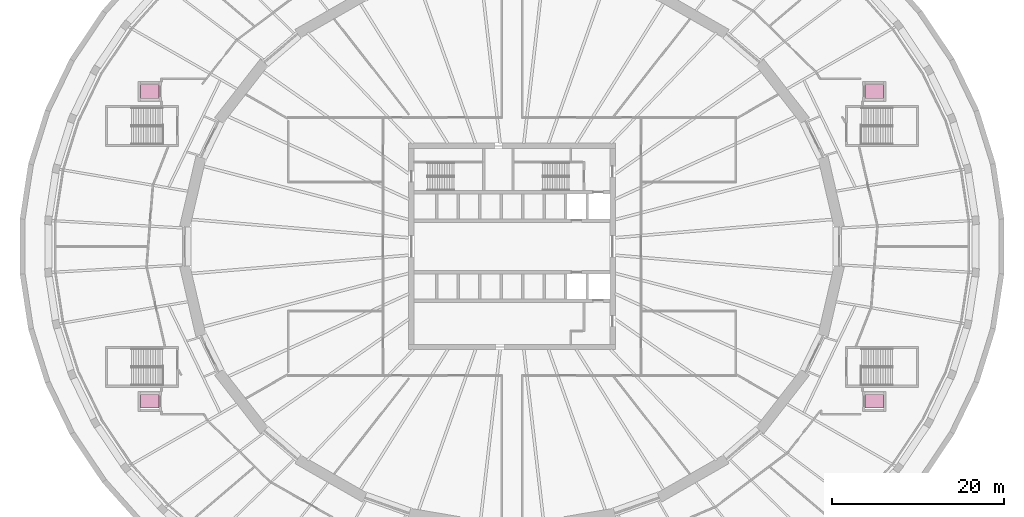
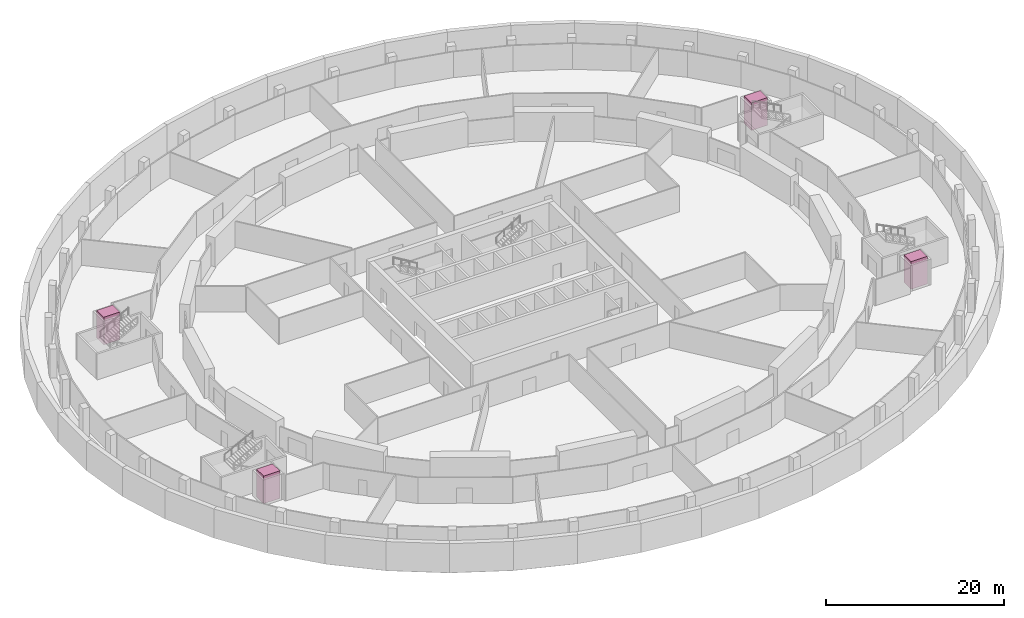
# One storey, part 14 of 14: 4 transport elements.
"""IFC4 building model written with IfcOpenShell, lengths in metres."""

from ifc_helpers import new_model, si_unit, direction, frame, origin, origin_2d, place, context, subcontext, project, spatial, rectangle, extrude, material, type_object, element, save


model = new_model("IFC4")

# Units and contexts
model_context = context("Model", 3, precision=1e-05, world=origin(), true_north=direction((0.0, 1.0)))
body_context = subcontext(model_context, "Body", "Model", "MODEL_VIEW")
ifc_project = project(units=[si_unit("LENGTHUNIT", "METRE"), si_unit("AREAUNIT", "SQUARE_METRE"), si_unit("VOLUMEUNIT", "CUBIC_METRE"), si_unit("PLANEANGLEUNIT", "RADIAN"), si_unit("MASSUNIT", "GRAM", prefix="KILO")], contexts=[model_context])

# Site, building, storey
site_placement = place(None, origin())
site = spatial("IfcSite", under=ifc_project, at=site_placement, CompositionType="ELEMENT")
building_placement = place(site_placement, origin())
building = spatial("IfcBuilding", under=site, at=building_placement, Name="Halqa Exchange Tower", CompositionType="ELEMENT")
storey_placement = place(building_placement, frame((0.0, 0.0, -4.0)))
storey = spatial("IfcBuildingStorey", under=building, at=storey_placement, Name="B1", CompositionType="ELEMENT", Elevation=-4.0)

# Transport elements
ifc_material = material(Name="Stainless steel", Category="steel")
transport_element_type = type_object("IfcTransportElementType", Name="Accessible station lift 1600 x 2100", PredefinedType="ELEVATOR", material=ifc_material)
for number, where, z_axis, x_axis, name in (
    (1, (42.10009765625, 18.0, 0.0), (0.0, 0.0, 1.0), (1.0, 0.0, 0.0), "Accessible station lift AL1"),
    (2, (42.10009765625, -18.0, 0.0), (0.0, 0.0, 1.0), (1.0, 0.0, 0.0), "Accessible station lift AL2"),
    (3, (-42.10009765625, 18.0, 0.0), (0.0, 0.0, 1.0), (1.0, 0.0, 0.0), "Accessible station lift AL3"),
    (4, (-42.10009765625, -18.0, 0.0), (0.0, 0.0, 1.0), (1.0, 0.0, 0.0), "Accessible station lift AL4"),
):
    element("IfcTransportElement", number, at=place(storey_placement, frame(where, z_axis=z_axis, x_axis=x_axis)), inside=storey, type_object=transport_element_type, Name=name, PredefinedType="ELEVATOR", context=body_context, shape_type="SweptSolid", body=[
        extrude(rectangle(XDim=2.10009765625, YDim=1.60009765625, at=origin_2d()), origin(), (0.0, 0.0, 1.0), 3.800048828125),
    ])

save(model, "model.ifc")
